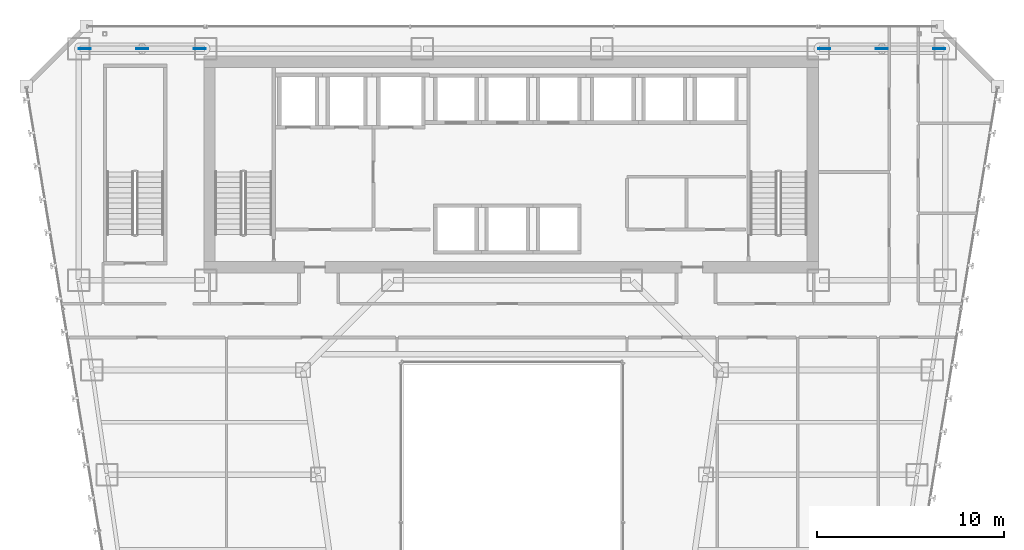
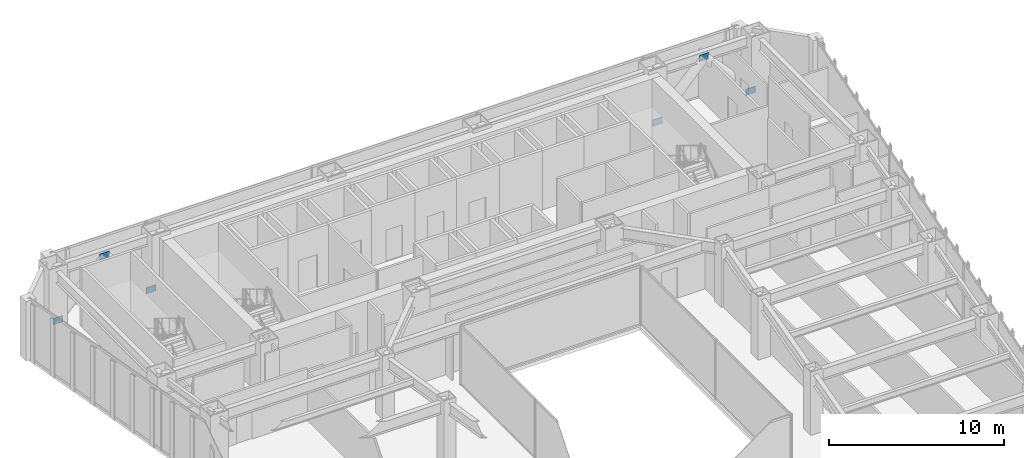
# One storey, part 35 of 47: 6 plates.
"""IFC4 building model written with IfcOpenShell, lengths in metres."""

from ifc_helpers import new_model, si_unit, direction, frame, origin, origin_2d, place, context, subcontext, project, spatial, rectangle, extrude, material, layer, layer_set, type_object, element, save


model = new_model("IFC4")

# Units and contexts
model_context = context("Model", 3, precision=1e-05, world=origin(), true_north=direction((0.0, 1.0)))
body_context = subcontext(model_context, "Body", "Model", "MODEL_VIEW")
ifc_project = project(units=[si_unit("LENGTHUNIT", "METRE"), si_unit("AREAUNIT", "SQUARE_METRE"), si_unit("VOLUMEUNIT", "CUBIC_METRE"), si_unit("PLANEANGLEUNIT", "RADIAN"), si_unit("MASSUNIT", "GRAM", prefix="KILO")], contexts=[model_context])

# Site, building, storey
site_placement = place(None, origin())
site = spatial("IfcSite", under=ifc_project, at=site_placement, CompositionType="ELEMENT")
building_placement = place(site_placement, origin())
building = spatial("IfcBuilding", under=site, at=building_placement, Name="Saevonmaru Cultural Tower", CompositionType="ELEMENT")
storey_placement = place(building_placement, frame((0.0, 0.0, 64.800048828125)))
storey = spatial("IfcBuildingStorey", under=building, at=storey_placement, Name="L13", CompositionType="ELEMENT", Elevation=64.800048828125)

# Plates
ifc_material = material(Name="Steel HSA600 (600 MPa)", Category="steel")
ifc_layer = layer(ifc_material, 0.0400390625, Name="Steel HSA600 (600 MPa)")
ifc_layer_set = layer_set([ifc_layer], Name="Steel HSA600 (600 MPa)")
plate_type = type_object("IfcPlateType", Name="PL-GUSSET-EXT", PredefinedType="USERDEFINED", material=ifc_layer_set)
for number, where, z_axis, x_axis, name in (
    (1, (10.199951171875, 54.800048828125, 3.449951171875), (0.0, 0.0, 1.0), (1.0, 0.0, 0.0), "L13 Perimeter Tube Gusset Plate"),
    (2, (7.1201171875, 54.800048828125, 0.02001953125), (0.0, 0.0, 1.0), (1.0, 0.0, 0.0), "L13 Perimeter Tube Gusset Plate"),
    (3, (13.280029296875, 54.800048828125, 0.02001953125), (0.0, 0.0, 1.0), (1.0, 0.0, 0.0), "L13 Perimeter Tube Gusset Plate"),
    (4, (49.800048828125, 54.800048828125, 3.449951171875), (0.0, 0.0, 1.0), (1.0, 0.0, 0.0), "L13 Perimeter Tube Gusset Plate"),
    (5, (46.719970703125, 54.800048828125, 0.02001953125), (0.0, 0.0, 1.0), (1.0, 0.0, 0.0), "L13 Perimeter Tube Gusset Plate"),
    (6, (52.8798828125, 54.800048828125, 0.02001953125), (0.0, 0.0, 1.0), (1.0, 0.0, 0.0), "L13 Perimeter Tube Gusset Plate"),
):
    element("IfcPlate", number, at=place(storey_placement, frame(where, z_axis=z_axis, x_axis=x_axis)), inside=storey, type_object=plate_type, Name=name, ObjectType="GUSSET_PLATE", PredefinedType="USERDEFINED", context=body_context, shape_type="SweptSolid", body=[
        extrude(rectangle(XDim=0.639892578125, YDim=0.0400390625, at=origin_2d()), origin(), (0.0, 0.0, 1.0), 0.43994140625),
    ])

save(model, "model.ifc")
